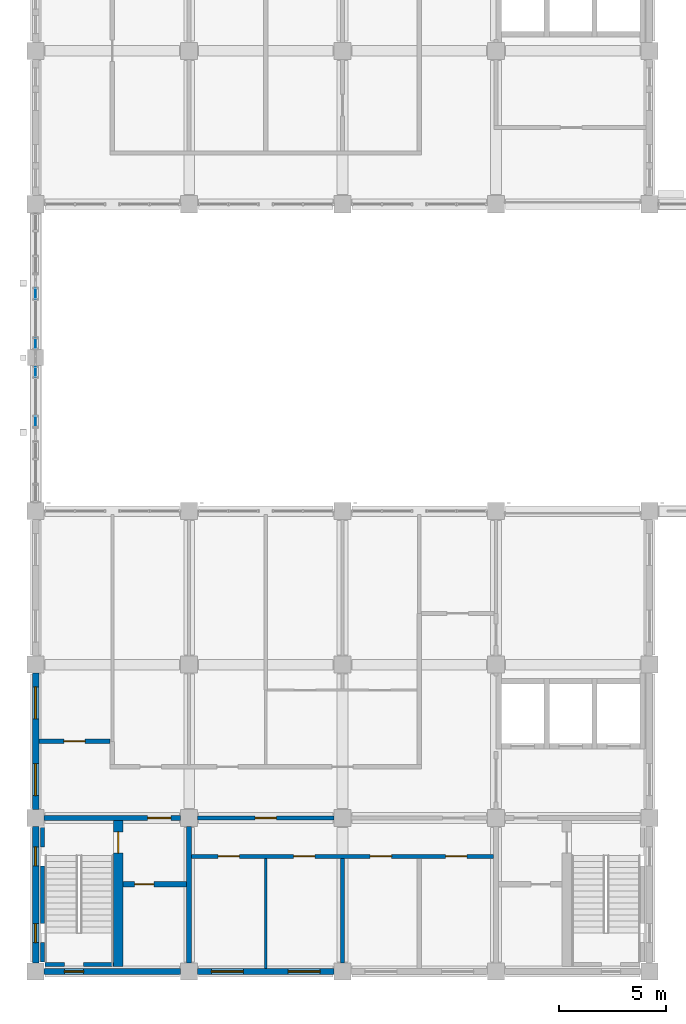
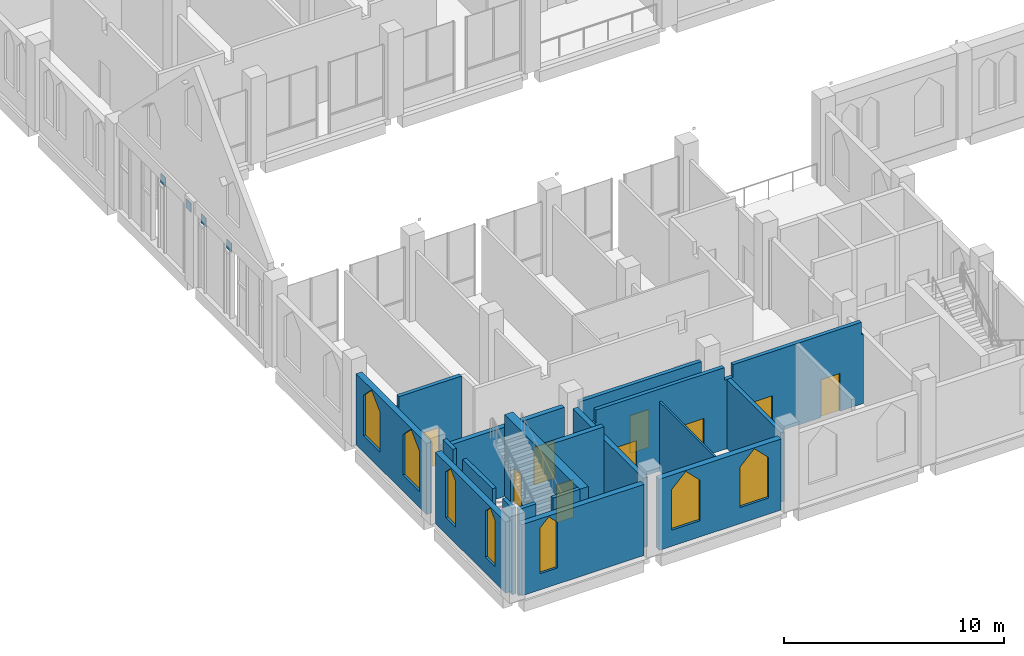
# One storey, part 18 of 31: 18 walls, 9 doors, 7 windows, 4 plates, 16 openings, 2 elements without a shape of their own.
"""IFC4 building model written with IfcOpenShell, lengths in metres."""

import ifcopenshell
import ifcopenshell.guid

model = None  # the IFC model being written
_history = None  # IfcOwnerHistory: only IFC2X3 demands one
_inside = {}  # id of a spatial element -> (the spatial element, [elements in it])
_under = {}  # id of a project, library or spatial element -> (it, [spatial elements below it])
_declared = {}  # id of a project -> (the project, [libraries it declares])
_typed = {}  # id of a type object -> (the type object, [elements of that type])
_made_of = {}  # id of a material, layer set ... -> (it, [elements and type objects made of it])


def new_model(schema):
    """Start an empty IFC model of exactly this schema.

    Asked for "IFC4X3", IfcOpenShell would pick the latest addendum, in which some entities
    have other attributes; the version numbers below select the first issue.
    IFC2X3 requires an IfcOwnerHistory on every rooted entity: one is made here for all.
    """
    global model, _history
    if schema == "IFC4X3":
        model = ifcopenshell.file(schema_version=(4, 3, 0, 0))
    else:
        model = ifcopenshell.file(schema=schema)
    _inside.clear()
    _under.clear()
    _declared.clear()
    _typed.clear()
    _made_of.clear()
    _history = None
    if model.schema == "IFC2X3":
        org = make("IfcOrganization", Name="unknown")
        user = make(
            "IfcPersonAndOrganization",
            ThePerson=make("IfcPerson", FamilyName="unknown"),
            TheOrganization=org,
        )
        app = make(
            "IfcApplication",
            ApplicationDeveloper=org,
            Version="unknown",
            ApplicationFullName="unknown",
            ApplicationIdentifier="unknown",
        )
        _history = make(
            "IfcOwnerHistory",
            OwningUser=user,
            OwningApplication=app,
            ChangeAction="ADDED",
            CreationDate=0,
        )
    return model


def make(cls, **values):
    """One entity of the class cls with the attributes given. An attribute that is None is left unset."""
    return model.create_entity(
        cls, **{name: value for name, value in values.items() if value is not None}
    )


def rooted(cls, **values):
    """An entity with a GlobalId (a new one), such as an element, a storey or a relation."""
    return make(cls, GlobalId=ifcopenshell.guid.new(), OwnerHistory=_history, **values)


def si_unit(unit_type, name, prefix=None):
    """IfcSIUnit, for example si_unit("LENGTHUNIT", "METRE", prefix="MILLI")."""
    return make("IfcSIUnit", UnitType=unit_type, Prefix=prefix, Name=name)


def assignment(units):
    """IfcUnitAssignment: the units of a project."""
    return None if units is None else make("IfcUnitAssignment", Units=units)


def point(xyz):
    """IfcCartesianPoint."""
    return None if xyz is None else make("IfcCartesianPoint", Coordinates=xyz)


def direction(xyz):
    """IfcDirection."""
    return None if xyz is None else make("IfcDirection", DirectionRatios=xyz)


def frame(location, z_axis=None, x_axis=None):
    """IfcAxis2Placement3D, a coordinate frame: its origin and axes. An axis left out is left unset."""
    return make(
        "IfcAxis2Placement3D",
        Location=point(location),
        Axis=direction(z_axis),
        RefDirection=direction(x_axis),
    )


def frame_2d(location, x_axis=None):
    """IfcAxis2Placement2D, a coordinate frame in the plane: its origin and x axis."""
    return make(
        "IfcAxis2Placement2D", Location=point(location), RefDirection=direction(x_axis)
    )


def origin():
    """The frame at (0, 0, 0) with its axes left unset."""
    return frame((0.0, 0.0, 0.0))


def origin_2d():
    """The frame at (0, 0) in the plane with its x axis left unset."""
    return frame_2d((0.0, 0.0))


def place(relative_to, where):
    """IfcLocalPlacement: puts the frame where relative to a parent placement (None: the world)."""
    return make(
        "IfcLocalPlacement", PlacementRelTo=relative_to, RelativePlacement=where
    )


def context(
    kind, dimensions, precision=None, world=None, true_north=None, identifier=None
):
    """IfcGeometricRepresentationContext, for example the 3D "Model" context."""
    return make(
        "IfcGeometricRepresentationContext",
        ContextIdentifier=identifier,
        ContextType=kind,
        CoordinateSpaceDimension=dimensions,
        Precision=precision,
        WorldCoordinateSystem=world,
        TrueNorth=true_north,
    )


def subcontext(parent, identifier, kind, view, scale=None):
    """IfcGeometricRepresentationSubContext, for example "Body" below "Model"."""
    return make(
        "IfcGeometricRepresentationSubContext",
        ContextIdentifier=identifier,
        ContextType=kind,
        ParentContext=parent,
        TargetScale=scale,
        TargetView=view,
    )


def project(units=None, contexts=None):
    """IfcProject with its units and contexts."""
    return rooted(
        "IfcProject",
        Name="project",
        RepresentationContexts=contexts,
        UnitsInContext=assignment(units),
    )


def spatial(cls, under=None, at=None, **own):
    """A site, building, storey or space (cls), placed at a placement, below another one or the project."""
    s = rooted(cls, ObjectPlacement=at, **own)
    if under is not None:
        _under.setdefault(under.id(), (under, []))[1].append(s)
    return s


def polyline(points):
    """IfcPolyline through the points."""
    return make("IfcPolyline", Points=[point(p) for p in points])


def profile(cls, at=None, kind="AREA", **sizes):
    """A parametric profile (cls). Its sizes go by their IFC names, for example OverallWidth=200.0."""
    return make(cls, ProfileType=kind, Position=at, **sizes)


def rectangle(**sizes):
    """IfcRectangleProfileDef."""
    return profile("IfcRectangleProfileDef", **sizes)


def outline(outer, holes=None, kind="AREA"):
    """IfcArbitraryClosedProfileDef: a profile drawn as a closed curve; with holes, ...WithVoids."""
    if holes is None:
        return make("IfcArbitraryClosedProfileDef", ProfileType=kind, OuterCurve=outer)
    return make(
        "IfcArbitraryProfileDefWithVoids",
        ProfileType=kind,
        OuterCurve=outer,
        InnerCurves=holes,
    )


def extrude(swept, where, along, depth):
    """IfcExtrudedAreaSolid: the profile swept, set in the frame where, extruded along a direction by depth."""
    return make(
        "IfcExtrudedAreaSolid",
        SweptArea=swept,
        Position=where,
        ExtrudedDirection=direction(along),
        Depth=depth,
    )


def shape(context_of_items, identifier, shape_type, items):
    """IfcShapeRepresentation: the items that make up one representation, for example the "Body"."""
    return make(
        "IfcShapeRepresentation",
        ContextOfItems=context_of_items,
        RepresentationIdentifier=identifier,
        RepresentationType=shape_type,
        Items=items,
    )


def material(Name=None, Category=None):
    """IfcMaterial."""
    return make("IfcMaterial", Name=Name, Category=Category)


def layer(
    of_material, thickness, ventilated=None, Name=None, Category=None, Priority=None
):
    """IfcMaterialLayer: one layer of a wall or slab, of a material (None: an air gap)."""
    return make(
        "IfcMaterialLayer",
        Material=of_material,
        LayerThickness=thickness,
        IsVentilated=ventilated,
        Name=Name,
        Category=Category,
        Priority=Priority,
    )


def layer_set(layers, Name=None):
    """IfcMaterialLayerSet."""
    return make("IfcMaterialLayerSet", MaterialLayers=layers, LayerSetName=Name)


def made_of(thing, what):
    """Note that an element or type object is made of a material, layer set ...; save() writes the relation."""
    if what is not None:
        _made_of.setdefault(what.id(), (what, []))[1].append(thing)
    return thing


def type_object(cls, material=None, **own):
    """A type object (cls), such as IfcWallType, which elements share."""
    return made_of(rooted(cls, **own), material)


def element(
    cls,
    number,
    at=None,
    inside=None,
    cuts=None,
    type_object=None,
    material=None,
    context=None,
    identifier="Body",
    shape_type=None,
    held_by="IfcProductDefinitionShape",
    body=None,
    shapes=None,
    **own,
):
    """One element of the class cls, such as IfcWall. Its Tag is "e" and its number.

    at: its placement. inside: the storey or other place that contains it. cuts: it is an
    opening in that element (IfcRelVoidsElement). A single representation is given by context,
    identifier, shape_type and body (its items); several are given by shapes. held_by: the class
    of the entity that holds the representations. save() writes the other relations.
    """
    e = rooted(cls, Tag="e%d" % number, ObjectPlacement=at, **own)
    if body is not None:
        shapes = [shape(context, identifier, shape_type, body)]
    if shapes is not None:
        e.Representation = make(held_by, Representations=shapes)
    if inside is not None:
        _inside.setdefault(inside.id(), (inside, []))[1].append(e)
    if cuts is not None:
        rooted(
            "IfcRelVoidsElement", RelatingBuildingElement=cuts, RelatedOpeningElement=e
        )
    if type_object is not None:
        _typed.setdefault(type_object.id(), (type_object, []))[1].append(e)
    return made_of(e, material)


def fill(opening, filler):
    """IfcRelFillsElement: the door or window that sits in an opening."""
    return rooted(
        "IfcRelFillsElement",
        RelatingOpeningElement=opening,
        RelatedBuildingElement=filler,
    )


def aggregate(whole, parts):
    """IfcRelAggregates: a whole, such as a stair, and the parts it consists of."""
    return rooted("IfcRelAggregates", RelatingObject=whole, RelatedObjects=parts)


def save(model, path):
    """Write the relations noted so far, then the file.

    IfcRelAggregates (storeys below a building ...), IfcRelContainedInSpatialStructure (elements
    in a storey), IfcRelDefinesByType, IfcRelAssociatesMaterial and IfcRelDeclares: one each for
    every whole, place, type object, material and project.
    """
    for whole, parts in _under.values():
        aggregate(whole, parts)
    for where, things in _inside.values():
        rooted(
            "IfcRelContainedInSpatialStructure",
            RelatedElements=things,
            RelatingStructure=where,
        )
    for kind, things in _typed.values():
        rooted("IfcRelDefinesByType", RelatedObjects=things, RelatingType=kind)
    for what, things in _made_of.values():
        rooted("IfcRelAssociatesMaterial", RelatedObjects=things, RelatingMaterial=what)
    for by, libraries in _declared.values():
        rooted("IfcRelDeclares", RelatingContext=by, RelatedDefinitions=libraries)
    model.write(path)


model = new_model("IFC4")

# Units and contexts
model_context = context("Model", 3, precision=1e-05, world=origin(), true_north=direction((0.0, 1.0)))
body_context = subcontext(model_context, "Body", "Model", "MODEL_VIEW")
ifc_project = project(units=[si_unit("LENGTHUNIT", "METRE"), si_unit("AREAUNIT", "SQUARE_METRE"), si_unit("VOLUMEUNIT", "CUBIC_METRE"), si_unit("PLANEANGLEUNIT", "RADIAN"), si_unit("MASSUNIT", "GRAM", prefix="KILO")], contexts=[model_context])

# Site, building, storey
site_placement = place(None, origin())
site = spatial("IfcSite", under=ifc_project, at=site_placement, CompositionType="ELEMENT")
building_placement = place(site_placement, origin())
building = spatial("IfcBuilding", under=site, at=building_placement, Name="Silangan Lancet Faculty of Sciences", CompositionType="ELEMENT")
storey_placement = place(building_placement, frame((0.0, 0.0, 36.0)))
storey = spatial("IfcBuildingStorey", under=building, at=storey_placement, Name="L07", CompositionType="ELEMENT", Elevation=36.0)

# Curtain wall, plates
ifc_material_1 = material(Name="Aluminium framed curtain wall with insulated glass", Category="aluminium")
curtain_wall_type = type_object("IfcCurtainWallType", Name="CW6 West window middle bays", PredefinedType="NOTDEFINED", material=ifc_material_1)
curtain_wall_1_placement = place(storey_placement, origin())
curtain_wall_1 = element("IfcCurtainWall", 1, at=curtain_wall_1_placement, inside=storey, type_object=curtain_wall_type, Name="CW6 West window L07 bay 2", PredefinedType="NOTDEFINED")
ifc_material_2 = material(Name="Insulated glass unit 8+16+8 low-emissivity", Category="glass")
ifc_layer_1 = layer(ifc_material_2, 0.031982421875)
ifc_layer_set_1 = layer_set([ifc_layer_1], Name="Insulated glass unit 8+16+8 low-emissivity")
plate_type = type_object("IfcPlateType", Name="CP1 Panel vision glass 32", PredefinedType="CURTAIN_PANEL", material=ifc_layer_set_1)
plate_1_placement = place(storey_placement, frame((0.0, 25.800048828125, 3.60009765625), z_axis=(0.0, 0.0, 1.0), x_axis=(0.0, 1.0, 0.0)))
plate_1 = element("IfcPlate", 2, at=plate_1_placement, type_object=plate_type, Name="CW6 West window L07 bay 2 panel 3", PredefinedType="CURTAIN_PANEL", context=body_context, shape_type="SweptSolid", body=[
    extrude(rectangle(XDim=0.449951171875, YDim=0.031982421875, at=origin_2d()), origin(), (0.0, 0.0, 1.0), 0.5),
])
plate_2_placement = place(storey_placement, frame((0.0, 28.125, 3.60009765625), z_axis=(0.0, 0.0, 1.0), x_axis=(0.0, 1.0, 0.0)))
plate_2 = element("IfcPlate", 3, at=plate_2_placement, type_object=plate_type, Name="CW6 West window L07 bay 2 panel 4", PredefinedType="CURTAIN_PANEL", context=body_context, shape_type="SweptSolid", body=[
    extrude(rectangle(XDim=0.449951171875, YDim=0.031982421875, at=origin_2d()), origin(), (0.0, 0.0, 1.0), 0.5),
])
aggregate(curtain_wall_1, [plate_1, plate_2])

curtain_wall_2_placement = place(storey_placement, origin())
curtain_wall_2 = element("IfcCurtainWall", 4, at=curtain_wall_2_placement, inside=storey, type_object=curtain_wall_type, Name="CW6 West window L07 bay 3", PredefinedType="NOTDEFINED")
plate_3_placement = place(storey_placement, frame((0.0, 29.47509765625, 3.60009765625), z_axis=(0.0, 0.0, 1.0), x_axis=(0.0, 1.0, 0.0)))
plate_3 = element("IfcPlate", 5, at=plate_3_placement, type_object=plate_type, Name="CW6 West window L07 bay 3 panel 3", PredefinedType="CURTAIN_PANEL", context=body_context, shape_type="SweptSolid", body=[
    extrude(rectangle(XDim=0.449951171875, YDim=0.031982421875, at=origin_2d()), origin(), (0.0, 0.0, 1.0), 0.5),
])
plate_4_placement = place(storey_placement, frame((0.0, 31.7998046875, 3.60009765625), z_axis=(0.0, 0.0, 1.0), x_axis=(0.0, 1.0, 0.0)))
plate_4 = element("IfcPlate", 6, at=plate_4_placement, type_object=plate_type, Name="CW6 West window L07 bay 3 panel 4", PredefinedType="CURTAIN_PANEL", context=body_context, shape_type="SweptSolid", body=[
    extrude(rectangle(XDim=0.449951171875, YDim=0.031982421875, at=origin_2d()), origin(), (0.0, 0.0, 1.0), 0.5),
])
aggregate(curtain_wall_2, [plate_3, plate_4])

# Wall, openings, windows
ifc_material_3 = material(Name="Concrete C40/50 precast", Category="concrete")
ifc_layer_2 = layer(ifc_material_3, 0.300048828125)
ifc_layer_set_2 = layer_set([ifc_layer_2], Name="Concrete C40/50 precast")
wall_type_1 = type_object("IfcWallType", Name="EW1 Precast cladding wall", PredefinedType="STANDARD", material=ifc_layer_set_2)
wall_1_placement = place(storey_placement, frame((0.0, 7.60009765625, 0.0), z_axis=(0.0, 0.0, 1.0), x_axis=(0.0, 1.0, 0.0)))
wall_1 = element("IfcWall", 7, at=wall_1_placement, inside=storey, type_object=wall_type_1, Name="EW-L07-W-ST-01", PredefinedType="STANDARD", context=body_context, shape_type="SweptSolid", body=[
    extrude(rectangle(XDim=6.39990234375, YDim=0.300048828125, at=frame_2d((3.199951171875, 0.0))), origin(), (0.0, 0.0, 1.0), 3.949951171875),
])
opening_1_placement = place(wall_1_placement, frame((0.64990234375, 0.0, 0.89990234375)))
opening_1 = element("IfcOpeningElement", 8, at=opening_1_placement, cuts=wall_1, Name="Opening W20", PredefinedType="OPENING", context=body_context, shape_type="SweptSolid", body=[
    extrude(outline(polyline([(0.0, 0.0), (1.5, 0.0), (1.5, 2.25), (0.75, 3.0), (0.0, 2.25), (0.0, 0.0)])), frame((0.0, 0.159912109375, 0.0), z_axis=(0.0, -1.0, 0.0), x_axis=(1.0, 0.0, 0.0)), (0.0, 0.0, 1.0), 0.320068359375),
])
opening_2_placement = place(wall_1_placement, frame((4.25, 0.0, 0.89990234375)))
opening_2 = element("IfcOpeningElement", 9, at=opening_2_placement, cuts=wall_1, Name="Opening W20", PredefinedType="OPENING", context=body_context, shape_type="SweptSolid", body=[
    extrude(outline(polyline([(0.0, 0.0), (1.5, 0.0), (1.5, 2.25), (0.75, 3.0), (0.0, 2.25), (0.0, 0.0)])), frame((0.0, 0.159912109375, 0.0), z_axis=(0.0, -1.0, 0.0), x_axis=(1.0, 0.0, 0.0)), (0.0, 0.0, 1.0), 0.320068359375),
])
ifc_material_4 = material(Name="Aluminium frame, laminated double glazing", Category="aluminium")
window_type_1 = type_object("IfcWindowType", Name="W20 Lancet window 1500 x 3000", PartitioningType="SINGLE_PANEL", PredefinedType="WINDOW", material=ifc_material_4)
window_1_placement = place(opening_1_placement, origin())
window_1 = element("IfcWindow", 10, at=window_1_placement, inside=storey, type_object=window_type_1, Name="WIN-L07-W-ST-01a", OverallHeight=3.0, OverallWidth=1.5, PartitioningType="SINGLE_PANEL", PredefinedType="WINDOW", context=body_context, shape_type="SweptSolid", body=[
    extrude(outline(polyline([(0.0, 0.0), (1.5, 0.0), (1.5, 2.25), (0.75, 3.0), (0.0, 2.25), (0.0, 0.0)])), frame((0.0, 0.030029296875, 0.0), z_axis=(0.0, -1.0, 0.0), x_axis=(1.0, 0.0, 0.0)), (0.0, 0.0, 1.0), 0.06005859375),
])
fill(opening_1, window_1)
window_2_placement = place(opening_2_placement, origin())
window_2 = element("IfcWindow", 11, at=window_2_placement, inside=storey, type_object=window_type_1, Name="WIN-L07-W-ST-01b", OverallHeight=3.0, OverallWidth=1.5, PartitioningType="SINGLE_PANEL", PredefinedType="WINDOW", context=body_context, shape_type="SweptSolid", body=[
    extrude(outline(polyline([(0.0, 0.0), (1.5, 0.0), (1.5, 2.25), (0.75, 3.0), (0.0, 2.25), (0.0, 0.0)])), frame((0.0, 0.030029296875, 0.0), z_axis=(0.0, -1.0, 0.0), x_axis=(1.0, 0.0, 0.0)), (0.0, 0.0, 1.0), 0.06005859375),
])
fill(opening_2, window_2)

wall_2_placement = place(storey_placement, frame((7.60009765625, 0.0, 0.0), z_axis=(0.0, 0.0, 1.0), x_axis=(1.0, 0.0, 0.0)))
wall_2 = element("IfcWall", 12, at=wall_2_placement, inside=storey, type_object=wall_type_1, Name="EW-L07-S-ST-01", PredefinedType="STANDARD", context=body_context, shape_type="SweptSolid", body=[
    extrude(rectangle(XDim=6.39990234375, YDim=0.300048828125, at=frame_2d((3.199951171875, 0.0))), origin(), (0.0, 0.0, 1.0), 3.949951171875),
])
opening_3_placement = place(wall_2_placement, frame((0.64990234375, 0.0, 0.89990234375)))
opening_3 = element("IfcOpeningElement", 13, at=opening_3_placement, cuts=wall_2, Name="Opening W20", PredefinedType="OPENING", context=body_context, shape_type="SweptSolid", body=[
    extrude(outline(polyline([(0.0, 0.0), (1.5, 0.0), (1.5, 2.25), (0.75, 3.0), (0.0, 2.25), (0.0, 0.0)])), frame((0.0, 0.159912109375, 0.0), z_axis=(0.0, -1.0, 0.0), x_axis=(1.0, 0.0, 0.0)), (0.0, 0.0, 1.0), 0.320068359375),
])
opening_4_placement = place(wall_2_placement, frame((4.25, 0.0, 0.89990234375)))
opening_4 = element("IfcOpeningElement", 14, at=opening_4_placement, cuts=wall_2, Name="Opening W20", PredefinedType="OPENING", context=body_context, shape_type="SweptSolid", body=[
    extrude(outline(polyline([(0.0, 0.0), (1.5, 0.0), (1.5, 2.25), (0.75, 3.0), (0.0, 2.25), (0.0, 0.0)])), frame((0.0, 0.159912109375, 0.0), z_axis=(0.0, -1.0, 0.0), x_axis=(1.0, 0.0, 0.0)), (0.0, 0.0, 1.0), 0.320068359375),
])
window_3_placement = place(opening_3_placement, origin())
window_3 = element("IfcWindow", 15, at=window_3_placement, inside=storey, type_object=window_type_1, Name="WIN-L07-S-ST-01a", OverallHeight=3.0, OverallWidth=1.5, PartitioningType="SINGLE_PANEL", PredefinedType="WINDOW", context=body_context, shape_type="SweptSolid", body=[
    extrude(outline(polyline([(0.0, 0.0), (1.5, 0.0), (1.5, 2.25), (0.75, 3.0), (0.0, 2.25), (0.0, 0.0)])), frame((0.0, 0.030029296875, 0.0), z_axis=(0.0, -1.0, 0.0), x_axis=(1.0, 0.0, 0.0)), (0.0, 0.0, 1.0), 0.06005859375),
])
fill(opening_3, window_3)
window_4_placement = place(opening_4_placement, origin())
window_4 = element("IfcWindow", 16, at=window_4_placement, inside=storey, type_object=window_type_1, Name="WIN-L07-S-ST-01b", OverallHeight=3.0, OverallWidth=1.5, PartitioningType="SINGLE_PANEL", PredefinedType="WINDOW", context=body_context, shape_type="SweptSolid", body=[
    extrude(outline(polyline([(0.0, 0.0), (1.5, 0.0), (1.5, 2.25), (0.75, 3.0), (0.0, 2.25), (0.0, 0.0)])), frame((0.0, 0.030029296875, 0.0), z_axis=(0.0, -1.0, 0.0), x_axis=(1.0, 0.0, 0.0)), (0.0, 0.0, 1.0), 0.06005859375),
])
fill(opening_4, window_4)

ifc_material_5 = material(Name="Concrete C40/50 precast", Category="concrete")
ifc_layer_3 = layer(ifc_material_5, 0.300048828125)
ifc_layer_set_3 = layer_set([ifc_layer_3], Name="Concrete C40/50 precast")
wall_type_2 = type_object("IfcWallType", Name="EW2 Turret enclosure wall", PredefinedType="STANDARD", material=ifc_layer_set_3)
wall_3_placement = place(storey_placement, frame((0.0, 0.39990234375, 0.0), z_axis=(0.0, 0.0, 1.0), x_axis=(0.0, 1.0, 0.0)))
wall_3 = element("IfcWall", 17, at=wall_3_placement, inside=storey, type_object=wall_type_2, Name="EW-L07-W-ST-00", PredefinedType="STANDARD", context=body_context, shape_type="SweptSolid", body=[
    extrude(rectangle(XDim=6.400146484375, YDim=0.300048828125, at=frame_2d((3.2001953125, 0.0))), origin(), (0.0, 0.0, 1.0), 3.949951171875),
])
opening_5_placement = place(wall_3_placement, frame((0.949951171875, 0.0, 0.89990234375)))
opening_5 = element("IfcOpeningElement", 18, at=opening_5_placement, cuts=wall_3, Name="Opening W17", PredefinedType="OPENING", context=body_context, shape_type="SweptSolid", body=[
    extrude(outline(polyline([(0.0, 0.0), (0.89990234375, 0.0), (0.89990234375, 2.550048828125), (0.449951171875, 3.0), (0.0, 2.550048828125), (0.0, 0.0)])), frame((0.0, 0.159912109375, 0.0), z_axis=(0.0, -1.0, 0.0), x_axis=(1.0, 0.0, 0.0)), (0.0, 0.0, 1.0), 0.320068359375),
])
opening_6_placement = place(wall_3_placement, frame((4.550048828125, 0.0, 0.89990234375)))
opening_6 = element("IfcOpeningElement", 19, at=opening_6_placement, cuts=wall_3, Name="Opening W17", PredefinedType="OPENING", context=body_context, shape_type="SweptSolid", body=[
    extrude(outline(polyline([(0.0, 0.0), (0.89990234375, 0.0), (0.89990234375, 2.550048828125), (0.449951171875, 3.0), (0.0, 2.550048828125), (0.0, 0.0)])), frame((0.0, 0.159912109375, 0.0), z_axis=(0.0, -1.0, 0.0), x_axis=(1.0, 0.0, 0.0)), (0.0, 0.0, 1.0), 0.320068359375),
])
ifc_material_6 = material(Name="Aluminium frame, laminated double glazing", Category="aluminium")
window_type_2 = type_object("IfcWindowType", Name="W17 Lancet window 900 x 3000", PartitioningType="SINGLE_PANEL", PredefinedType="WINDOW", material=ifc_material_6)
window_5_placement = place(opening_5_placement, origin())
window_5 = element("IfcWindow", 20, at=window_5_placement, inside=storey, type_object=window_type_2, Name="WIN-L07-W-ST-00a", OverallHeight=3.0, OverallWidth=0.89990234375, PartitioningType="SINGLE_PANEL", PredefinedType="WINDOW", context=body_context, shape_type="SweptSolid", body=[
    extrude(outline(polyline([(0.0, 0.0), (0.89990234375, 0.0), (0.89990234375, 2.550048828125), (0.449951171875, 3.0), (0.0, 2.550048828125), (0.0, 0.0)])), frame((0.0, 0.030029296875, 0.0), z_axis=(0.0, -1.0, 0.0), x_axis=(1.0, 0.0, 0.0)), (0.0, 0.0, 1.0), 0.06005859375),
])
fill(opening_5, window_5)
window_6_placement = place(opening_6_placement, origin())
window_6 = element("IfcWindow", 21, at=window_6_placement, inside=storey, type_object=window_type_2, Name="WIN-L07-W-ST-00b", OverallHeight=3.0, OverallWidth=0.89990234375, PartitioningType="SINGLE_PANEL", PredefinedType="WINDOW", context=body_context, shape_type="SweptSolid", body=[
    extrude(outline(polyline([(0.0, 0.0), (0.89990234375, 0.0), (0.89990234375, 2.550048828125), (0.449951171875, 3.0), (0.0, 2.550048828125), (0.0, 0.0)])), frame((0.0, 0.030029296875, 0.0), z_axis=(0.0, -1.0, 0.0), x_axis=(1.0, 0.0, 0.0)), (0.0, 0.0, 1.0), 0.06005859375),
])
fill(opening_6, window_6)

# Wall, opening, window
wall_4_placement = place(storey_placement, frame((0.39990234375, 0.0, 0.0), z_axis=(0.0, 0.0, 1.0), x_axis=(1.0, 0.0, 0.0)))
wall_4 = element("IfcWall", 22, at=wall_4_placement, inside=storey, type_object=wall_type_2, Name="EW-L07-S-ST-00", PredefinedType="STANDARD", context=body_context, shape_type="SweptSolid", body=[
    extrude(rectangle(XDim=6.400146484375, YDim=0.300048828125, at=frame_2d((3.2001953125, 0.0))), origin(), (0.0, 0.0, 1.0), 3.949951171875),
])
opening_7_placement = place(wall_4_placement, frame((0.949951171875, 0.0, 0.89990234375)))
opening_7 = element("IfcOpeningElement", 23, at=opening_7_placement, cuts=wall_4, Name="Opening W17", PredefinedType="OPENING", context=body_context, shape_type="SweptSolid", body=[
    extrude(outline(polyline([(0.0, 0.0), (0.89990234375, 0.0), (0.89990234375, 2.550048828125), (0.449951171875, 3.0), (0.0, 2.550048828125), (0.0, 0.0)])), frame((0.0, 0.159912109375, 0.0), z_axis=(0.0, -1.0, 0.0), x_axis=(1.0, 0.0, 0.0)), (0.0, 0.0, 1.0), 0.320068359375),
])
window_7_placement = place(opening_7_placement, origin())
window_7 = element("IfcWindow", 24, at=window_7_placement, inside=storey, type_object=window_type_2, Name="WIN-L07-S-ST-00a", OverallHeight=3.0, OverallWidth=0.89990234375, PartitioningType="SINGLE_PANEL", PredefinedType="WINDOW", context=body_context, shape_type="SweptSolid", body=[
    extrude(outline(polyline([(0.0, 0.0), (0.89990234375, 0.0), (0.89990234375, 2.550048828125), (0.449951171875, 3.0), (0.0, 2.550048828125), (0.0, 0.0)])), frame((0.0, 0.030029296875, 0.0), z_axis=(0.0, -1.0, 0.0), x_axis=(1.0, 0.0, 0.0)), (0.0, 0.0, 1.0), 0.06005859375),
])
fill(opening_7, window_7)

# Wall, openings, doors
ifc_material_7 = material(Name="Hollow block masonry fm 7 MPa", Category="masonry")
ifc_layer_4 = layer(ifc_material_7, 0.199951171875)
ifc_layer_set_4 = layer_set([ifc_layer_4], Name="Hollow block masonry fm 7 MPa")
wall_type_3 = type_object("IfcWallType", Name="Interior wall PW1 Corridor wall CHB 200", PredefinedType="PARTITIONING", material=ifc_layer_set_4)
wall_5_placement = place(storey_placement, frame((7.324951171875, 5.39990234375, 0.0), z_axis=(0.0, 0.0, 1.0), x_axis=(1.0, 0.0, 0.0)))
wall_5 = element("IfcWall", 25, at=wall_5_placement, inside=storey, type_object=wall_type_3, Name="Corridor wall CHB 200", PredefinedType="PARTITIONING", context=body_context, shape_type="SweptSolid", body=[
    extrude(outline(polyline([(0.0, 0.0), (14.150146484375, 0.0), (14.150146484375, 3.85009765625), (14.050048828125, 3.85009765625), (14.050048828125, 4.550048828125), (7.300048828125, 4.550048828125), (7.300048828125, 3.85009765625), (6.85009765625, 3.85009765625), (6.85009765625, 4.550048828125), (0.10009765625, 4.550048828125), (0.10009765625, 3.85009765625), (0.0, 3.85009765625), (0.0, 0.0)])), frame((0.0, 0.10009765625, 0.0), z_axis=(0.0, -1.0, 0.0), x_axis=(1.0, 0.0, 0.0)), (0.0, 0.0, 1.0), 0.199951171875),
])
opening_8_placement = place(wall_5_placement, frame((1.237548828125, 0.0, 0.0)))
opening_8 = element("IfcOpeningElement", 26, at=opening_8_placement, cuts=wall_5, Name="Opening L07-007", PredefinedType="OPENING", context=body_context, shape_type="SweptSolid", body=[
    extrude(rectangle(XDim=1.0, YDim=2.10009765625, at=frame_2d((0.5, 1.050048828125))), frame((0.0, 0.10986328125, 0.0), z_axis=(0.0, -1.0, 0.0), x_axis=(1.0, 0.0, 0.0)), (0.0, 0.0, 1.0), 0.219970703125),
])
opening_9_placement = place(wall_5_placement, frame((4.77490234375, 0.0, 0.0)))
opening_9 = element("IfcOpeningElement", 27, at=opening_9_placement, cuts=wall_5, Name="Opening L07-008", PredefinedType="OPENING", context=body_context, shape_type="SweptSolid", body=[
    extrude(rectangle(XDim=1.0, YDim=2.10009765625, at=frame_2d((0.5, 1.050048828125))), frame((0.0, 0.10986328125, 0.0), z_axis=(0.0, -1.0, 0.0), x_axis=(1.0, 0.0, 0.0)), (0.0, 0.0, 1.0), 0.219970703125),
])
opening_10_placement = place(wall_5_placement, frame((8.375, 0.0, 0.0)))
opening_10 = element("IfcOpeningElement", 28, at=opening_10_placement, cuts=wall_5, Name="Opening L07-009", PredefinedType="OPENING", context=body_context, shape_type="SweptSolid", body=[
    extrude(rectangle(XDim=1.0, YDim=2.10009765625, at=frame_2d((0.5, 1.050048828125))), frame((0.0, 0.10986328125, 0.0), z_axis=(0.0, -1.0, 0.0), x_axis=(1.0, 0.0, 0.0)), (0.0, 0.0, 1.0), 0.219970703125),
])
opening_11_placement = place(wall_5_placement, frame((11.91259765625, 0.0, 0.0)))
opening_11 = element("IfcOpeningElement", 29, at=opening_11_placement, cuts=wall_5, Name="Opening L07-010", PredefinedType="OPENING", context=body_context, shape_type="SweptSolid", body=[
    extrude(rectangle(XDim=1.0, YDim=2.10009765625, at=frame_2d((0.5, 1.050048828125))), frame((0.0, 0.10986328125, 0.0), z_axis=(0.0, -1.0, 0.0), x_axis=(1.0, 0.0, 0.0)), (0.0, 0.0, 1.0), 0.219970703125),
])
ifc_material_8 = material(Name="Steel fire door set", Category="steel")
door_type_1 = type_object("IfcDoorType", Name="Door D1 Single leaf fire door 1000 x 2100", OperationType="SINGLE_SWING_LEFT", PredefinedType="DOOR", material=ifc_material_8)
door_1_placement = place(opening_8_placement, frame((1.0, 0.0, 0.0), z_axis=(0.0, 0.0, 1.0), x_axis=(-1.0, 0.0, 0.0)))
door_1 = element("IfcDoor", 30, at=door_1_placement, inside=storey, type_object=door_type_1, Name="Single leaf fire door 1000 x 2100", OperationType="SINGLE_SWING_RIGHT", OverallHeight=2.10009765625, OverallWidth=1.0, PredefinedType="DOOR", context=body_context, shape_type="SweptSolid", body=[
    extrude(rectangle(XDim=1.0, YDim=2.10009765625, at=frame_2d((0.5, 1.050048828125))), frame((0.0, 0.025146484375, 0.0), z_axis=(0.0, -1.0, 0.0), x_axis=(1.0, 0.0, 0.0)), (0.0, 0.0, 1.0), 0.050048828125),
])
fill(opening_8, door_1)
door_2_placement = place(opening_9_placement, frame((1.0, 0.0, 0.0), z_axis=(0.0, 0.0, 1.0), x_axis=(-1.0, 0.0, 0.0)))
door_2 = element("IfcDoor", 31, at=door_2_placement, inside=storey, type_object=door_type_1, Name="Single leaf fire door 1000 x 2100", OperationType="SINGLE_SWING_LEFT", OverallHeight=2.10009765625, OverallWidth=1.0, PredefinedType="DOOR", context=body_context, shape_type="SweptSolid", body=[
    extrude(rectangle(XDim=1.0, YDim=2.10009765625, at=frame_2d((0.5, 1.050048828125))), frame((0.0, 0.025146484375, 0.0), z_axis=(0.0, -1.0, 0.0), x_axis=(1.0, 0.0, 0.0)), (0.0, 0.0, 1.0), 0.050048828125),
])
fill(opening_9, door_2)
door_3_placement = place(opening_10_placement, frame((1.0, 0.0, 0.0), z_axis=(0.0, 0.0, 1.0), x_axis=(-1.0, 0.0, 0.0)))
door_3 = element("IfcDoor", 32, at=door_3_placement, inside=storey, type_object=door_type_1, Name="Single leaf fire door 1000 x 2100", OperationType="SINGLE_SWING_RIGHT", OverallHeight=2.10009765625, OverallWidth=1.0, PredefinedType="DOOR", context=body_context, shape_type="SweptSolid", body=[
    extrude(rectangle(XDim=1.0, YDim=2.10009765625, at=frame_2d((0.5, 1.050048828125))), frame((0.0, 0.025146484375, 0.0), z_axis=(0.0, -1.0, 0.0), x_axis=(1.0, 0.0, 0.0)), (0.0, 0.0, 1.0), 0.050048828125),
])
fill(opening_10, door_3)
door_4_placement = place(opening_11_placement, frame((1.0, 0.0, 0.0), z_axis=(0.0, 0.0, 1.0), x_axis=(-1.0, 0.0, 0.0)))
door_4 = element("IfcDoor", 33, at=door_4_placement, inside=storey, type_object=door_type_1, Name="Single leaf fire door 1000 x 2100", OperationType="SINGLE_SWING_LEFT", OverallHeight=2.10009765625, OverallWidth=1.0, PredefinedType="DOOR", context=body_context, shape_type="SweptSolid", body=[
    extrude(rectangle(XDim=1.0, YDim=2.10009765625, at=frame_2d((0.5, 1.050048828125))), frame((0.0, 0.025146484375, 0.0), z_axis=(0.0, -1.0, 0.0), x_axis=(1.0, 0.0, 0.0)), (0.0, 0.0, 1.0), 0.050048828125),
])
fill(opening_11, door_4)

# Wall, opening, door
wall_6_placement = place(storey_placement, frame((7.60009765625, 7.199951171875, 0.0), z_axis=(0.0, 0.0, 1.0), x_axis=(1.0, 0.0, 0.0)))
wall_6 = element("IfcWall", 34, at=wall_6_placement, inside=storey, type_object=wall_type_3, Name="Corridor wall CHB 200", PredefinedType="PARTITIONING", context=body_context, shape_type="SweptSolid", body=[
    extrude(rectangle(XDim=6.39990234375, YDim=0.199951171875, at=frame_2d((3.199951171875, 0.0))), origin(), (0.0, 0.0, 1.0), 3.85009765625),
])
opening_12_placement = place(wall_6_placement, frame((2.699951171875, 0.0, 0.0)))
opening_12 = element("IfcOpeningElement", 35, at=opening_12_placement, cuts=wall_6, Name="Opening L07-002", PredefinedType="OPENING", context=body_context, shape_type="SweptSolid", body=[
    extrude(rectangle(XDim=1.0, YDim=2.10009765625, at=frame_2d((0.5, 1.050048828125))), frame((0.0, 0.10986328125, 0.0), z_axis=(0.0, -1.0, 0.0), x_axis=(1.0, 0.0, 0.0)), (0.0, 0.0, 1.0), 0.219970703125),
])
door_5_placement = place(opening_12_placement, frame((1.0, 0.0, 0.0), z_axis=(0.0, 0.0, 1.0), x_axis=(-1.0, 0.0, 0.0)))
door_5 = element("IfcDoor", 36, at=door_5_placement, inside=storey, type_object=door_type_1, Name="Single leaf fire door 1000 x 2100", OperationType="SINGLE_SWING_LEFT", OverallHeight=2.10009765625, OverallWidth=1.0, PredefinedType="DOOR", context=body_context, shape_type="SweptSolid", body=[
    extrude(rectangle(XDim=1.0, YDim=2.10009765625, at=frame_2d((0.5, 1.050048828125))), frame((0.0, 0.025146484375, 0.0), z_axis=(0.0, -1.0, 0.0), x_axis=(1.0, 0.0, 0.0)), (0.0, 0.0, 1.0), 0.050048828125),
])
fill(opening_12, door_5)

wall_7_placement = place(storey_placement, frame((0.14990234375, 10.800048828125, 0.0), z_axis=(0.0, 0.0, 1.0), x_axis=(1.0, 0.0, 0.0)))
wall_7 = element("IfcWall", 37, at=wall_7_placement, inside=storey, type_object=wall_type_3, Name="Corridor wall CHB 200", PredefinedType="PARTITIONING", context=body_context, shape_type="SweptSolid", body=[
    extrude(outline(polyline([(0.0, 0.0), (3.35009765625, 0.0), (3.35009765625, 4.550048828125), (0.050048828125, 4.550048828125), (0.050048828125, 3.949951171875), (0.0, 3.949951171875), (0.0, 0.0)])), frame((0.0, 0.10009765625, 0.0), z_axis=(0.0, -1.0, 0.0), x_axis=(1.0, 0.0, 0.0)), (0.0, 0.0, 1.0), 0.199951171875),
])
opening_13_placement = place(wall_7_placement, frame((1.175048828125, 0.0, 0.0)))
opening_13 = element("IfcOpeningElement", 38, at=opening_13_placement, cuts=wall_7, Name="Opening L07-013", PredefinedType="OPENING", context=body_context, shape_type="SweptSolid", body=[
    extrude(rectangle(XDim=1.0, YDim=2.10009765625, at=frame_2d((0.5, 1.050048828125))), frame((0.0, 0.10986328125, 0.0), z_axis=(0.0, -1.0, 0.0), x_axis=(1.0, 0.0, 0.0)), (0.0, 0.0, 1.0), 0.219970703125),
])
door_6_placement = place(opening_13_placement, origin())
door_6 = element("IfcDoor", 39, at=door_6_placement, inside=storey, type_object=door_type_1, Name="Single leaf fire door 1000 x 2100", OperationType="SINGLE_SWING_LEFT", OverallHeight=2.10009765625, OverallWidth=1.0, PredefinedType="DOOR", context=body_context, shape_type="SweptSolid", body=[
    extrude(rectangle(XDim=1.0, YDim=2.10009765625, at=frame_2d((0.5, 1.050048828125))), frame((0.0, 0.02490234375, 0.0), z_axis=(0.0, -1.0, 0.0), x_axis=(1.0, 0.0, 0.0)), (0.0, 0.0, 1.0), 0.050048828125),
])
fill(opening_13, door_6)

# Walls
ifc_material_9 = material(Name="Hollow block masonry fm 7 MPa", Category="masonry")
ifc_layer_5 = layer(ifc_material_9, 0.199951171875)
ifc_layer_set_5 = layer_set([ifc_layer_5], Name="Hollow block masonry fm 7 MPa")
wall_type_4 = type_object("IfcWallType", Name="Interior wall PW4 Laboratory separation CHB 200", PredefinedType="PARTITIONING", material=ifc_layer_set_5)
wall_8_placement = place(storey_placement, frame((14.39990234375, 0.39990234375, 0.0), z_axis=(0.0, 0.0, 1.0), x_axis=(0.0, 1.0, 0.0)))
element("IfcWall", 40, at=wall_8_placement, inside=storey, type_object=wall_type_4, Name="Laboratory separation CHB 200", PredefinedType="PARTITIONING", context=body_context, shape_type="SweptSolid", body=[
    extrude(rectangle(XDim=4.900146484375, YDim=0.199951171875, at=frame_2d((2.4501953125, 0.0))), origin(), (0.0, 0.0, 1.0), 3.85009765625),
])
ifc_material_10 = material(Name="Hollow block masonry fm 7 MPa", Category="masonry")
ifc_layer_6 = layer(ifc_material_10, 0.10009765625)
ifc_layer_set_6 = layer_set([ifc_layer_6], Name="Hollow block masonry fm 7 MPa")
wall_type_5 = type_object("IfcWallType", Name="Interior wall PW8 WC partition CHB 100", PredefinedType="PARTITIONING", material=ifc_layer_set_6)
wall_9_placement = place(storey_placement, frame((10.800048828125, 0.14990234375, 0.0), z_axis=(0.0, 0.0, 1.0), x_axis=(0.0, 1.0, 0.0)))
element("IfcWall", 41, at=wall_9_placement, inside=storey, type_object=wall_type_5, Name="WC partition CHB 100", PredefinedType="PARTITIONING", context=body_context, shape_type="SweptSolid", body=[
    extrude(rectangle(XDim=5.150146484375, YDim=0.10009765625, at=frame_2d((2.5751953125, 0.0))), origin(), (0.0, 0.0, 1.0), 3.85009765625),
])

# Wall, opening, door
ifc_material_11 = material(Name="Concrete C40/50", Category="concrete")
ifc_layer_7 = layer(ifc_material_11, 0.449951171875)
ifc_layer_set_7 = layer_set([ifc_layer_7], Name="Concrete C40/50")
wall_type_6 = type_object("IfcWallType", Name="TURRET CORE WALL RC 450", PredefinedType="SHEAR", material=ifc_layer_set_7)
wall_10_placement = place(storey_placement, frame((3.875, 0.22509765625, 0.0), z_axis=(0.0, 0.0, 1.0), x_axis=(0.0, 1.0, 0.0)))
wall_10 = element("IfcWall", 42, at=wall_10_placement, inside=storey, type_object=wall_type_6, Name="WALL-L07-ST-A-WELL", PredefinedType="SHEAR", context=body_context, shape_type="SweptSolid", body=[
    extrude(rectangle(XDim=6.849853515625, YDim=0.449951171875, at=frame_2d((3.4248046875, 0.0))), origin(), (0.0, 0.0, 1.0), 4.550048828125),
])
opening_14_placement = place(wall_10_placement, frame((5.324951171875, 0.0, 0.0)))
opening_14 = element("IfcOpeningElement", 43, at=opening_14_placement, cuts=wall_10, Name="Opening L07-707", PredefinedType="OPENING", context=body_context, shape_type="SweptSolid", body=[
    extrude(rectangle(XDim=1.0, YDim=2.10009765625, at=frame_2d((0.5, 1.050048828125))), frame((0.0, 0.23486328125, 0.0), z_axis=(0.0, -1.0, 0.0), x_axis=(1.0, 0.0, 0.0)), (0.0, 0.0, 1.0), 0.469970703125),
])
ifc_material_12 = material(Name="Steel fire door set", Category="steel")
door_type_2 = type_object("IfcDoorType", Name="D71 Stair enclosure door 1000x2100", OperationType="SINGLE_SWING_LEFT", PredefinedType="DOOR", material=ifc_material_12)
door_7_placement = place(opening_14_placement, origin())
door_7 = element("IfcDoor", 44, at=door_7_placement, inside=storey, type_object=door_type_2, Name="Stair enclosure door ST-A L07", OperationType="SINGLE_SWING_RIGHT", OverallHeight=2.10009765625, OverallWidth=1.0, PredefinedType="DOOR", context=body_context, shape_type="SweptSolid", body=[
    extrude(rectangle(XDim=1.0, YDim=2.10009765625, at=frame_2d((0.5, 1.050048828125))), frame((0.0, 0.02490234375, 0.0), z_axis=(0.0, -1.0, 0.0), x_axis=(1.0, 0.0, 0.0)), (0.0, 0.0, 1.0), 0.050048828125),
])
fill(opening_14, door_7)

# Walls
ifc_material_13 = material(Name="Concrete C40/50", Category="concrete")
ifc_layer_8 = layer(ifc_material_13, 0.199951171875)
ifc_layer_set_8 = layer_set([ifc_layer_8], Name="Concrete C40/50")
wall_type_7 = type_object("IfcWallType", Name="TURRET LINING WALL RC 200", PredefinedType="SHEAR", material=ifc_layer_set_8)
wall_11_placement = place(storey_placement, frame((0.324951171875, 0.449951171875, -0.25), z_axis=(0.0, 0.0, 1.0), x_axis=(0.0, 1.0, 0.0)))
element("IfcWall", 45, at=wall_11_placement, inside=storey, type_object=wall_type_7, Name="WALL-L07-ST-A-WL", PredefinedType="SHEAR", context=body_context, shape_type="SweptSolid", body=[
    extrude(rectangle(XDim=0.900146484375, YDim=0.199951171875, at=frame_2d((0.4501953125, 0.0))), origin(), (0.0, 0.0, 1.0), 4.800048828125),
])
wall_12_placement = place(storey_placement, frame((0.324951171875, 2.25, -0.25), z_axis=(0.0, 0.0, 1.0), x_axis=(0.0, 1.0, 0.0)))
element("IfcWall", 46, at=wall_12_placement, inside=storey, type_object=wall_type_7, Name="WALL-L07-ST-A-WL-2", PredefinedType="SHEAR", context=body_context, shape_type="SweptSolid", body=[
    extrude(rectangle(XDim=2.699951171875, YDim=0.199951171875, at=frame_2d((1.35009765625, 0.0))), origin(), (0.0, 0.0, 1.0), 4.800048828125),
])
wall_13_placement = place(storey_placement, frame((0.324951171875, 5.85009765625, -0.25), z_axis=(0.0, 0.0, 1.0), x_axis=(0.0, 1.0, 0.0)))
element("IfcWall", 47, at=wall_13_placement, inside=storey, type_object=wall_type_7, Name="WALL-L07-ST-A-WL-3", PredefinedType="SHEAR", context=body_context, shape_type="SweptSolid", body=[
    extrude(rectangle(XDim=0.89990234375, YDim=0.199951171875, at=frame_2d((0.449951171875, 0.0))), origin(), (0.0, 0.0, 1.0), 4.800048828125),
])
wall_14_placement = place(storey_placement, frame((0.449951171875, 0.324951171875, -0.25), z_axis=(0.0, 0.0, 1.0), x_axis=(1.0, 0.0, 0.0)))
element("IfcWall", 48, at=wall_14_placement, inside=storey, type_object=wall_type_7, Name="WALL-L07-ST-A-WLD", PredefinedType="SHEAR", context=body_context, shape_type="SweptSolid", body=[
    extrude(rectangle(XDim=0.900146484375, YDim=0.199951171875, at=frame_2d((0.4501953125, 0.0))), origin(), (0.0, 0.0, 1.0), 4.800048828125),
])
wall_15_placement = place(storey_placement, frame((2.25, 0.324951171875, -0.25), z_axis=(0.0, 0.0, 1.0), x_axis=(1.0, 0.0, 0.0)))
element("IfcWall", 49, at=wall_15_placement, inside=storey, type_object=wall_type_7, Name="WALL-L07-ST-A-WLD-2", PredefinedType="SHEAR", context=body_context, shape_type="SweptSolid", body=[
    extrude(rectangle(XDim=1.39990234375, YDim=0.199951171875, at=frame_2d((0.699951171875, 0.0))), origin(), (0.0, 0.0, 1.0), 4.800048828125),
])

# Wall, opening, door
ifc_material_14 = material(Name="Concrete C40/50", Category="concrete")
ifc_layer_9 = layer(ifc_material_14, 0.25)
ifc_layer_set_9 = layer_set([ifc_layer_9], Name="Concrete C40/50")
wall_type_8 = type_object("IfcWallType", Name="TURRET WALL RC 250", PredefinedType="SHEAR", material=ifc_layer_set_9)
wall_16_placement = place(storey_placement, frame((0.39990234375, 7.199951171875, 0.0), z_axis=(0.0, 0.0, 1.0), x_axis=(1.0, 0.0, 0.0)))
wall_16 = element("IfcWall", 50, at=wall_16_placement, inside=storey, type_object=wall_type_8, Name="WALL-L07-ST-A-V", PredefinedType="SHEAR", context=body_context, shape_type="SweptSolid", body=[
    extrude(rectangle(XDim=6.400146484375, YDim=0.25, at=frame_2d((3.2001953125, 0.0))), origin(), (0.0, 0.0, 1.0), 3.85009765625),
])
opening_15_placement = place(wall_16_placement, frame((4.85009765625, 0.0, 0.0)))
opening_15 = element("IfcOpeningElement", 51, at=opening_15_placement, cuts=wall_16, Name="Opening L07-708", PredefinedType="OPENING", context=body_context, shape_type="SweptSolid", body=[
    extrude(rectangle(XDim=1.10009765625, YDim=2.10009765625, at=frame_2d((0.550048828125, 1.050048828125))), frame((0.0, 0.135009765625, 0.0), z_axis=(0.0, -1.0, 0.0), x_axis=(1.0, 0.0, 0.0)), (0.0, 0.0, 1.0), 0.27001953125),
])
ifc_material_15 = material(Name="Steel fire door set", Category="steel")
door_type_3 = type_object("IfcDoorType", Name="D70 Stair vestibule door 1100x2100", OperationType="SINGLE_SWING_LEFT", PredefinedType="DOOR", material=ifc_material_15)
door_8_placement = place(opening_15_placement, frame((1.10009765625, 0.0, 0.0), z_axis=(0.0, 0.0, 1.0), x_axis=(-1.0, 0.0, 0.0)))
door_8 = element("IfcDoor", 52, at=door_8_placement, inside=storey, type_object=door_type_3, Name="Stair vestibule door ST-A L07", OperationType="SINGLE_SWING_LEFT", OverallHeight=2.10009765625, OverallWidth=1.10009765625, PredefinedType="DOOR", context=body_context, shape_type="SweptSolid", body=[
    extrude(rectangle(XDim=1.10009765625, YDim=2.10009765625, at=frame_2d((0.550048828125, 1.050048828125))), frame((0.0, 0.025146484375, 0.0), z_axis=(0.0, -1.0, 0.0), x_axis=(1.0, 0.0, 0.0)), (0.0, 0.0, 1.0), 0.050048828125),
])
fill(opening_15, door_8)

# Wall
wall_17_placement = place(storey_placement, frame((7.199951171875, 0.39990234375, 0.0), z_axis=(0.0, 0.0, 1.0), x_axis=(0.0, 1.0, 0.0)))
element("IfcWall", 53, at=wall_17_placement, inside=storey, type_object=wall_type_8, Name="WALL-L07-ST-A-O", PredefinedType="SHEAR", context=body_context, shape_type="SweptSolid", body=[
    extrude(rectangle(XDim=6.400146484375, YDim=0.25, at=frame_2d((3.2001953125, 0.0))), origin(), (0.0, 0.0, 1.0), 3.85009765625),
])

# Wall, opening, door
wall_18_placement = place(storey_placement, frame((4.10009765625, 4.10009765625, 0.0), z_axis=(0.0, 0.0, 1.0), x_axis=(1.0, 0.0, 0.0)))
wall_18 = element("IfcWall", 54, at=wall_18_placement, inside=storey, type_object=wall_type_8, Name="WALL-L07-ST-A-RISER", PredefinedType="SHEAR", context=body_context, shape_type="SweptSolid", body=[
    extrude(rectangle(XDim=2.974853515625, YDim=0.25, at=frame_2d((1.4873046875, 0.0))), origin(), (0.0, 0.0, 1.0), 4.550048828125),
])
opening_16_placement = place(wall_18_placement, frame((0.550048828125, 0.0, 0.0)))
opening_16 = element("IfcOpeningElement", 55, at=opening_16_placement, cuts=wall_18, Name="Opening L07-709", PredefinedType="OPENING", context=body_context, shape_type="SweptSolid", body=[
    extrude(rectangle(XDim=0.89990234375, YDim=2.10009765625, at=frame_2d((0.449951171875, 1.050048828125))), frame((0.0, 0.135009765625, 0.0), z_axis=(0.0, -1.0, 0.0), x_axis=(1.0, 0.0, 0.0)), (0.0, 0.0, 1.0), 0.27001953125),
])
ifc_material_16 = material(Name="Steel fire door set", Category="steel")
door_type_4 = type_object("IfcDoorType", Name="D72 Riser access door 900x2100", OperationType="SINGLE_SWING_LEFT", PredefinedType="DOOR", material=ifc_material_16)
door_9_placement = place(opening_16_placement, frame((0.89990234375, 0.0, 0.0), z_axis=(0.0, 0.0, 1.0), x_axis=(-1.0, 0.0, 0.0)))
door_9 = element("IfcDoor", 56, at=door_9_placement, inside=storey, type_object=door_type_4, Name="Riser access door ST-A L07", OperationType="SINGLE_SWING_LEFT", OverallHeight=2.10009765625, OverallWidth=0.89990234375, PredefinedType="DOOR", context=body_context, shape_type="SweptSolid", body=[
    extrude(rectangle(XDim=0.89990234375, YDim=2.10009765625, at=frame_2d((0.449951171875, 1.050048828125))), frame((0.0, 0.025146484375, 0.0), z_axis=(0.0, -1.0, 0.0), x_axis=(1.0, 0.0, 0.0)), (0.0, 0.0, 1.0), 0.050048828125),
])
fill(opening_16, door_9)

save(model, "model.ifc")
